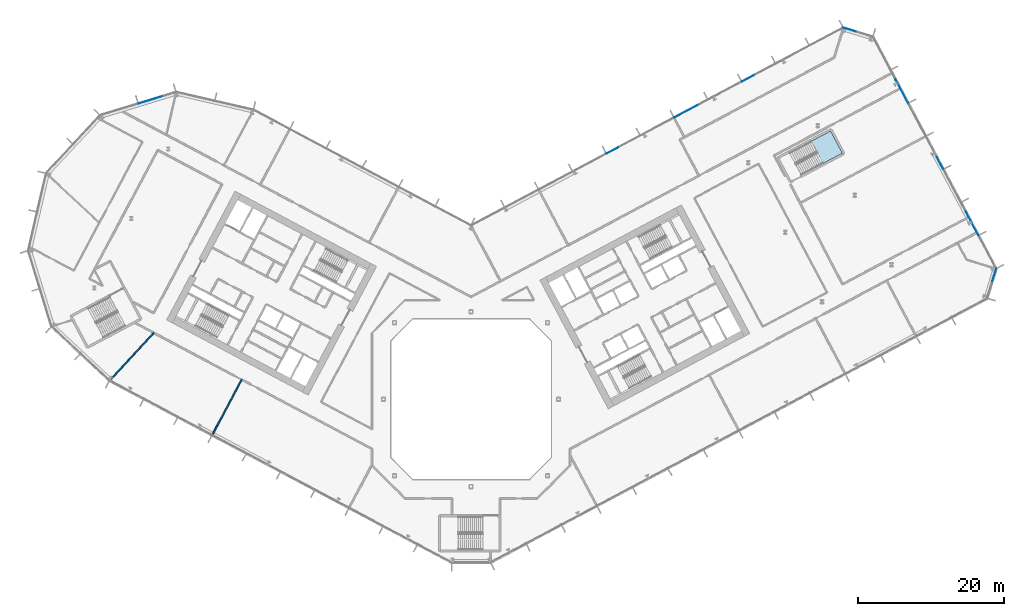
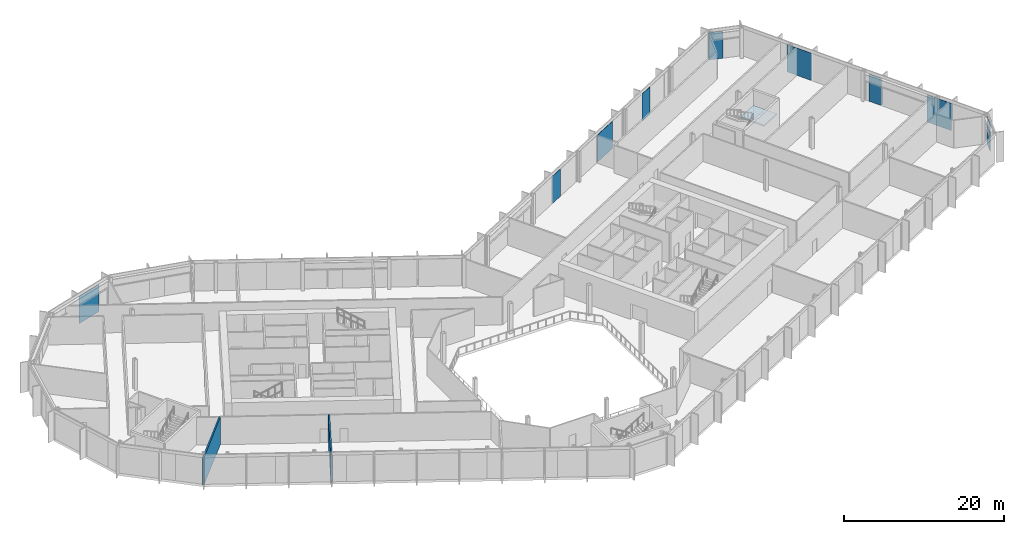
# One storey, part 13 of 32: 9 plates, 2 walls, 1 slab, 6 elements without a shape of their own.
"""IFC4 building model written with IfcOpenShell, lengths in metres."""

from ifc_helpers import new_model, si_unit, direction, frame, frame_2d, origin, origin_2d, place, context, subcontext, project, spatial, polyline, rectangle, outline, extrude, material, layer, layer_set, type_object, element, aggregate, save


model = new_model("IFC4")

# Units and contexts
model_context = context("Model", 3, precision=1e-05, world=origin(), true_north=direction((0.0, 1.0)))
body_context = subcontext(model_context, "Body", "Model", "MODEL_VIEW")
ifc_project = project(units=[si_unit("LENGTHUNIT", "METRE"), si_unit("AREAUNIT", "SQUARE_METRE"), si_unit("VOLUMEUNIT", "CUBIC_METRE"), si_unit("PLANEANGLEUNIT", "RADIAN"), si_unit("MASSUNIT", "GRAM", prefix="KILO")], contexts=[model_context])

# Site, building, storey
site_placement = place(None, origin())
site = spatial("IfcSite", under=ifc_project, at=site_placement, CompositionType="ELEMENT")
building_placement = place(site_placement, origin())
building = spatial("IfcBuilding", under=site, at=building_placement, Name="Cormorant Relay Tower", CompositionType="ELEMENT")
storey_placement = place(building_placement, frame((0.0, 0.0, 75.39990234375)))
storey = spatial("IfcBuildingStorey", under=building, at=storey_placement, Name="L14", CompositionType="ELEMENT", Elevation=75.39990234375)

# Curtain wall, plate
ifc_material_1 = material(Name="Aluminium 6063-T6 anodised bronze", Category="aluminium")
ifc_layer_1 = layer(ifc_material_1, 0.199951171875)
ifc_layer_set_1 = layer_set([ifc_layer_1], Name="CW1 unitised bronze curtain wall with vertical fins")
curtain_wall_type = type_object("IfcCurtainWallType", Name="CW1 unitised bronze curtain wall with vertical fins", PredefinedType="NOTDEFINED", material=ifc_layer_set_1)
curtain_wall_1_placement = place(storey_placement, origin())
curtain_wall_1 = element("IfcCurtainWall", 1, at=curtain_wall_1_placement, inside=storey, type_object=curtain_wall_type, Name="CW1 curtain wall 3", PredefinedType="NOTDEFINED")
ifc_material_2 = material(Name="Tinted laminated glass", Category="glass")
ifc_layer_2 = layer(ifc_material_2, 0.0400390625)
ifc_layer_set_2 = layer_set([ifc_layer_2], Name="CW1 tinted vision panel 1800 module")
plate_type_1 = type_object("IfcPlateType", Name="CW1 tinted vision panel 1800 module", PredefinedType="CURTAIN_PANEL", material=ifc_layer_set_2)
plate_1_placement = place(storey_placement, frame((71.77880859375, 17.04248046875, 0.000244140625), z_axis=(0.0, 0.0, 1.0), x_axis=(0.292371704723, 0.956304755963, 0.0)))
plate_1 = element("IfcPlate", 2, at=plate_1_placement, type_object=plate_type_1, Name="CW1 panel V01", PredefinedType="CURTAIN_PANEL", context=body_context, shape_type="SweptSolid", body=[
    extrude(rectangle(XDim=1.800048828125, YDim=0.0400390625, at=origin_2d()), origin(), (0.0, 0.0, 1.0), 4.14990234375),
])
aggregate(curtain_wall_1, [plate_1])

curtain_wall_2_placement = place(storey_placement, origin())
curtain_wall_2 = element("IfcCurtainWall", 3, at=curtain_wall_2_placement, inside=storey, type_object=curtain_wall_type, Name="CW1 curtain wall 4", PredefinedType="NOTDEFINED")
plate_2_placement = place(storey_placement, frame((64.33935546875, 32.40185546875, 0.000244140625), z_axis=(0.0, 0.0, 1.0), x_axis=(-0.469471562786, 0.882947592859, 0.0)))
plate_2 = element("IfcPlate", 4, at=plate_2_placement, type_object=plate_type_1, Name="CW1 panel V03", PredefinedType="CURTAIN_PANEL", context=body_context, shape_type="SweptSolid", body=[
    extrude(rectangle(XDim=1.800048828125, YDim=0.0400390625, at=origin_2d()), origin(), (0.0, 0.0, 1.0), 4.14990234375),
])

curtain_wall_3_placement = place(storey_placement, origin())
curtain_wall_3 = element("IfcCurtainWall", 5, at=curtain_wall_3_placement, inside=storey, type_object=curtain_wall_type, Name="CW1 curtain wall 5", PredefinedType="NOTDEFINED")
plate_3_placement = place(storey_placement, frame((51.930908203125, 50.69140625, 0.000244140625), z_axis=(0.0, 0.0, 1.0), x_axis=(-0.956304755963, 0.292371704723, 0.0)))
plate_3 = element("IfcPlate", 6, at=plate_3_placement, type_object=plate_type_1, Name="CW1 panel V01", PredefinedType="CURTAIN_PANEL", context=body_context, shape_type="SweptSolid", body=[
    extrude(rectangle(XDim=1.800048828125, YDim=0.0400390625, at=origin_2d()), origin(), (0.0, 0.0, 1.0), 4.14990234375),
])
aggregate(curtain_wall_3, [plate_3])

# Curtain wall, plates
curtain_wall_4_placement = place(storey_placement, origin())
curtain_wall_4 = element("IfcCurtainWall", 7, at=curtain_wall_4_placement, inside=storey, type_object=curtain_wall_type, Name="CW1 curtain wall 6", PredefinedType="NOTDEFINED")
plate_4_placement = place(storey_placement, frame((37.9892578125, 44.005859375, 0.000244140625), z_axis=(0.0, 0.0, 1.0), x_axis=(-0.882947592859, -0.469471562786, 0.0)))
plate_4 = element("IfcPlate", 8, at=plate_4_placement, type_object=plate_type_1, Name="CW1 panel V02", PredefinedType="CURTAIN_PANEL", context=body_context, shape_type="SweptSolid", body=[
    extrude(rectangle(XDim=1.800048828125, YDim=0.0400390625, at=origin_2d()), origin(), (0.0, 0.0, 1.0), 4.14990234375),
])
plate_5_placement = place(storey_placement, frame((19.42041015625, 34.132568359375, 0.000244140625), z_axis=(0.0, 0.0, 1.0), x_axis=(-0.882947592859, -0.469471562786, 0.0)))
plate_5 = element("IfcPlate", 9, at=plate_5_placement, type_object=plate_type_1, Name="CW1 panel V06", PredefinedType="CURTAIN_PANEL", context=body_context, shape_type="SweptSolid", body=[
    extrude(rectangle(XDim=1.800048828125, YDim=0.0400390625, at=origin_2d()), origin(), (0.0, 0.0, 1.0), 4.14990234375),
])

# Plate
ifc_material_3 = material(Name="Tinted laminated glass", Category="glass")
ifc_layer_3 = layer(ifc_material_3, 0.0400390625)
ifc_layer_set_3 = layer_set([ifc_layer_3], Name="CW1 tinted vision panel 3600 module")
plate_type_2 = type_object("IfcPlateType", Name="CW1 tinted vision panel 3600 module", PredefinedType="CURTAIN_PANEL", material=ifc_layer_set_3)
plate_6_placement = place(storey_placement, frame((68.74560546875, 24.11474609375, 0.000244140625), z_axis=(0.0, 0.0, 1.0), x_axis=(-0.469471562786, 0.882947592859, 0.0)))
plate_6 = element("IfcPlate", 10, at=plate_6_placement, type_object=plate_type_2, Name="CW1 panel V01", PredefinedType="CURTAIN_PANEL", context=body_context, shape_type="SweptSolid", body=[
    extrude(rectangle(XDim=3.60009765625, YDim=0.0400390625, at=origin_2d()), origin(), (0.0, 0.0, 1.0), 4.14990234375),
])

plate_7_placement = place(storey_placement, frame((59.087890625, 42.2783203125, 0.000244140625), z_axis=(0.0, 0.0, 1.0), x_axis=(-0.469471562786, 0.882947592859, 0.0)))
plate_7 = element("IfcPlate", 11, at=plate_7_placement, type_object=plate_type_2, Name="CW1 panel V05", PredefinedType="CURTAIN_PANEL", context=body_context, shape_type="SweptSolid", body=[
    extrude(rectangle(XDim=3.60009765625, YDim=0.0400390625, at=origin_2d()), origin(), (0.0, 0.0, 1.0), 4.14990234375),
])

aggregate(curtain_wall_2, [plate_6, plate_2, plate_7])

plate_8_placement = place(storey_placement, frame((29.49951171875, 39.49169921875, 0.000244140625), z_axis=(0.0, 0.0, 1.0), x_axis=(-0.882947592859, -0.469471562786, 0.0)))
plate_8 = element("IfcPlate", 12, at=plate_8_placement, type_object=plate_type_2, Name="CW1 panel V04", PredefinedType="CURTAIN_PANEL", context=body_context, shape_type="SweptSolid", body=[
    extrude(rectangle(XDim=3.60009765625, YDim=0.0400390625, at=origin_2d()), origin(), (0.0, 0.0, 1.0), 4.14990234375),
])

aggregate(curtain_wall_4, [plate_4, plate_8, plate_5])

# Curtain wall, plate
curtain_wall_5_placement = place(storey_placement, origin())
curtain_wall_5 = element("IfcCurtainWall", 13, at=curtain_wall_5_placement, inside=storey, type_object=curtain_wall_type, Name="CW1 curtain wall 9", PredefinedType="NOTDEFINED")
plate_9_placement = place(storey_placement, frame((-43.8759765625, 41.091796875, 0.000244140625), z_axis=(0.0, 0.0, 1.0), x_axis=(-0.956304755963, -0.292371704723, 0.0)))
plate_9 = element("IfcPlate", 14, at=plate_9_placement, type_object=plate_type_2, Name="CW1 panel V01", PredefinedType="CURTAIN_PANEL", context=body_context, shape_type="SweptSolid", body=[
    extrude(rectangle(XDim=3.60009765625, YDim=0.0400390625, at=origin_2d()), origin(), (0.0, 0.0, 1.0), 4.14990234375),
])
aggregate(curtain_wall_5, [plate_9])

# Stair, slab
ifc_material_4 = material(Name="Concrete 40 MPa", Category="concrete")
stair_type = type_object("IfcStairType", Name="Exit stair 1500", PredefinedType="HALF_TURN_STAIR", material=ifc_material_4)
stair_placement = place(storey_placement, origin())
stair = element("IfcStair", 15, at=stair_placement, inside=storey, type_object=stair_type, Name="L14 Stair", PredefinedType="HALF_TURN_STAIR")
ifc_material_5 = material(Name="Concrete 40 MPa", Category="concrete")
ifc_layer_4 = layer(ifc_material_5, 0.199951171875)
ifc_layer_set_4 = layer_set([ifc_layer_4], Name="Exit stair landing 200")
slab_type = type_object("IfcSlabType", Name="Exit stair landing 200", PredefinedType="LANDING", material=ifc_layer_set_4)
slab_placement = place(storey_placement, frame((0.0, 0.0, 2.10009765625)))
slab = element("IfcSlab", 16, at=slab_placement, type_object=slab_type, Name="RB1 landing 1", PredefinedType="LANDING", context=body_context, shape_type="SweptSolid", body=[
    extrude(outline(polyline([(48.301513671875, 32.35107421875), (50.941650390625, 33.7548828125), (49.322021484375, 36.801025390625), (46.681884765625, 35.397216796875), (48.301513671875, 32.35107421875)])), origin(), (0.0, 0.0, 1.0), 0.199951171875),
])
aggregate(stair, [slab])

# Walls
ifc_material_6 = material(Name="Fire-rated gypsum board partition")
ifc_layer_5 = layer(ifc_material_6, 0.199951171875)
ifc_layer_set_5 = layer_set([ifc_layer_5], Name="Fire-rated gypsum partition 200")
wall_type = type_object("IfcWallType", Name="Fire-rated gypsum partition 200", PredefinedType="PARTITIONING", material=ifc_layer_set_5)
wall_1_placement = place(storey_placement, frame((-43.51904296875, 9.095947265625, 0.0), z_axis=(0.0, 0.0, 1.0), x_axis=(-0.682037499791, -0.731317201273, 0.0)))
element("IfcWall", 17, at=wall_1_placement, inside=storey, type_object=wall_type, Name="wall/L14/part/6", PredefinedType="PARTITIONING", context=body_context, shape_type="SweptSolid", body=[
    extrude(rectangle(XDim=9.11083984375, YDim=0.199951171875, at=frame_2d((4.555419921875, 0.0))), origin(), (0.0, 0.0, 1.0), 4.2001953125),
])
wall_2_placement = place(storey_placement, frame((-31.470947265625, 2.68994140625, 0.0), z_axis=(0.0, 0.0, 1.0), x_axis=(-0.469532456729, -0.882915212281, 0.0)))
element("IfcWall", 18, at=wall_2_placement, inside=storey, type_object=wall_type, Name="wall/L14/part/7", PredefinedType="PARTITIONING", context=body_context, shape_type="SweptSolid", body=[
    extrude(rectangle(XDim=8.80029296875, YDim=0.199951171875, at=frame_2d((4.400146484375, 0.0))), origin(), (0.0, 0.0, 1.0), 4.2001953125),
])

save(model, "model.ifc")
